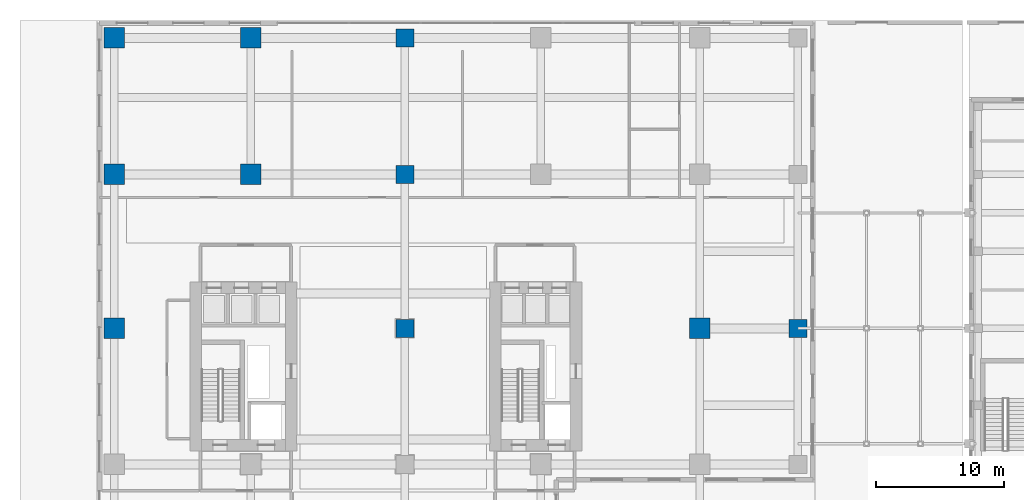
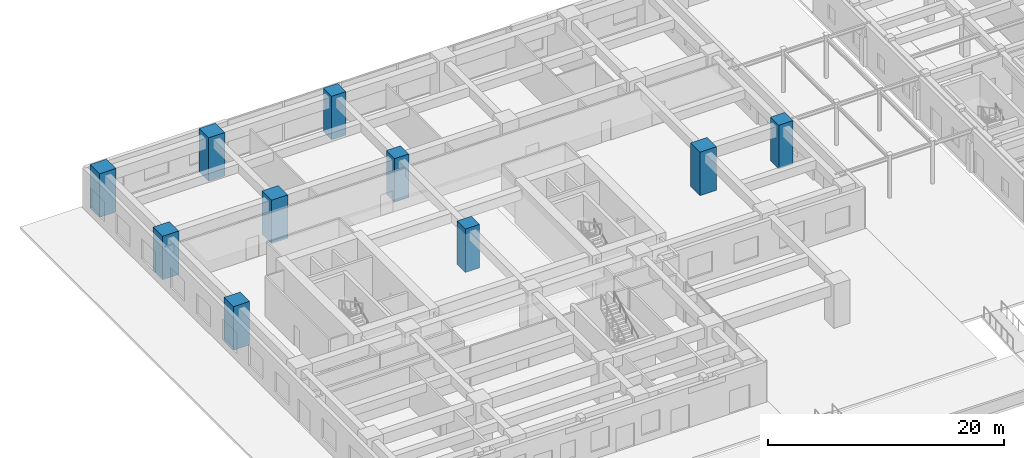
# One storey, part 3 of 39: 10 columns.
"""IFC4 building model written with IfcOpenShell, lengths in metres."""

from ifc_helpers import new_model, si_unit, direction, frame, origin, origin_2d, place, context, subcontext, project, spatial, rectangle, extrude, source, transform, mapped, material, material_profile, profile_set, type_object, element, save


model = new_model("IFC4")

# Units and contexts
model_context = context("Model", 3, precision=1e-05, world=origin(), true_north=direction((0.0, 1.0)))
body_context = subcontext(model_context, "Body", "Model", "MODEL_VIEW")
ifc_project = project(units=[si_unit("LENGTHUNIT", "METRE"), si_unit("AREAUNIT", "SQUARE_METRE"), si_unit("VOLUMEUNIT", "CUBIC_METRE"), si_unit("PLANEANGLEUNIT", "RADIAN"), si_unit("MASSUNIT", "GRAM", prefix="KILO")], contexts=[model_context])

# Site, building, storey
site_placement = place(None, origin())
site = spatial("IfcSite", under=ifc_project, at=site_placement, CompositionType="ELEMENT")
building_placement = place(site_placement, origin())
building = spatial("IfcBuilding", under=site, at=building_placement, Name="Khoralis Quay Care Tower", CompositionType="ELEMENT")
storey_placement = place(building_placement, origin())
storey = spatial("IfcBuildingStorey", under=building, at=storey_placement, Name="L00", CompositionType="ELEMENT", Elevation=0.0)

# Columns
ifc_material = material(Name="Concrete C80/95", Category="concrete")
ifc_material_profile_1 = material_profile(ifc_material, rectangle(XDim=1.39990234375, YDim=1.39990234375, at=origin_2d()), Name="Concrete C80/95")
ifc_profile_set_1 = profile_set([ifc_material_profile_1], Name="Concrete C80/95")
column_type_1 = type_object("IfcColumnType", Name="COL-MC1400", PredefinedType="COLUMN", material=ifc_profile_set_1)
shared_shape_1 = source(origin(), body_context, "Body", "SweptSolid", [
    extrude(rectangle(XDim=1.39990234375, YDim=1.39990234375, at=origin_2d()), origin(), (0.0, 0.0, 1.0), 4.5),
])
for number, where, z_axis, x_axis, name in (
    (1, (24.0, 24.0, 0.0), (0.0, 0.0, 1.0), (1.0, 0.0, 0.0), "L00 Mega column COL-POD-L00-15"),
    (2, (24.0, 36.0, 0.0), (0.0, 0.0, 1.0), (1.0, 0.0, 0.0), "L00 Mega column COL-POD-L00-16"),
    (3, (24.0, 46.64990234375, 0.0), (0.0, 0.0, 1.0), (1.0, 0.0, 0.0), "L00 Mega column COL-POD-L00-17"),
    (4, (54.64990234375, 24.0, 0.0), (0.0, 0.0, 1.0), (1.0, 0.0, 0.0), "L00 Mega column COL-POD-L00-29"),
):
    element("IfcColumn", number, at=place(storey_placement, frame(where, z_axis=z_axis, x_axis=x_axis)), inside=storey, type_object=column_type_1, Name=name, PredefinedType="COLUMN", context=body_context, shape_type="MappedRepresentation", body=[
        mapped(shared_shape_1, transform((0.0, 0.0, 0.0), scale=1.0)),
    ])
ifc_material_profile_2 = material_profile(ifc_material, rectangle(XDim=1.60009765625, YDim=1.60009765625, at=origin_2d()), Name="Concrete C80/95")
ifc_profile_set_2 = profile_set([ifc_material_profile_2], Name="Concrete C80/95")
column_type_2 = type_object("IfcColumnType", Name="COL-MC1600", PredefinedType="COLUMN", material=ifc_profile_set_2)
shared_shape_2 = source(origin(), body_context, "Body", "SweptSolid", [
    extrude(rectangle(XDim=1.60009765625, YDim=1.60009765625, at=origin_2d()), origin(), (0.0, 0.0, 1.0), 4.5),
])
for number, where, z_axis, x_axis, name in (
    (5, (1.35009765625, 24.0, 0.0), (0.0, 0.0, 1.0), (1.0, 0.0, 0.0), "L00 Mega column COL-POD-L00-04"),
    (6, (1.35009765625, 36.0, 0.0), (0.0, 0.0, 1.0), (1.0, 0.0, 0.0), "L00 Mega column COL-POD-L00-05"),
    (7, (1.35009765625, 46.64990234375, 0.0), (0.0, 0.0, 1.0), (1.0, 0.0, 0.0), "L00 Mega column COL-POD-L00-06"),
    (8, (12.0, 36.0, 0.0), (0.0, 0.0, 1.0), (1.0, 0.0, 0.0), "L00 Mega column COL-POD-L00-10"),
    (9, (12.0, 46.64990234375, 0.0), (0.0, 0.0, 1.0), (1.0, 0.0, 0.0), "L00 Mega column COL-POD-L00-11"),
    (10, (47.0, 24.0, 0.0), (0.0, 0.0, 1.0), (1.0, 0.0, 0.0), "L00 Mega column COL-POD-L00-25"),
):
    element("IfcColumn", number, at=place(storey_placement, frame(where, z_axis=z_axis, x_axis=x_axis)), inside=storey, type_object=column_type_2, Name=name, PredefinedType="COLUMN", context=body_context, shape_type="MappedRepresentation", body=[
        mapped(shared_shape_2, transform((0.0, 0.0, 0.0), scale=1.0)),
    ])

save(model, "model.ifc")
